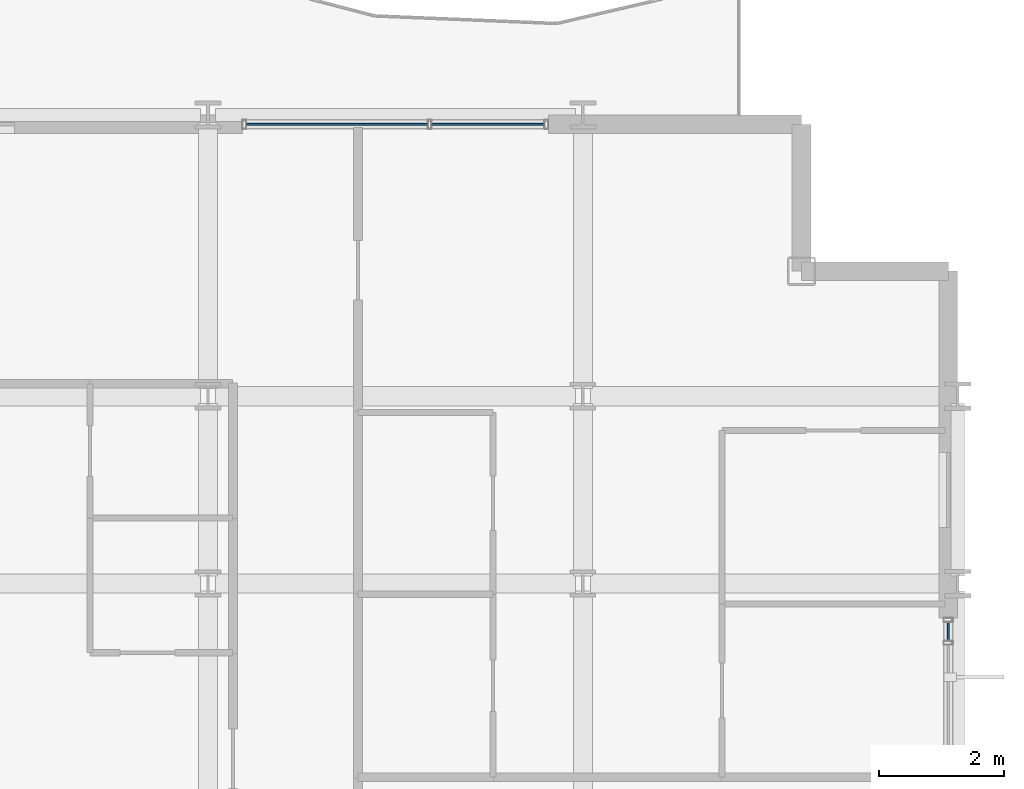
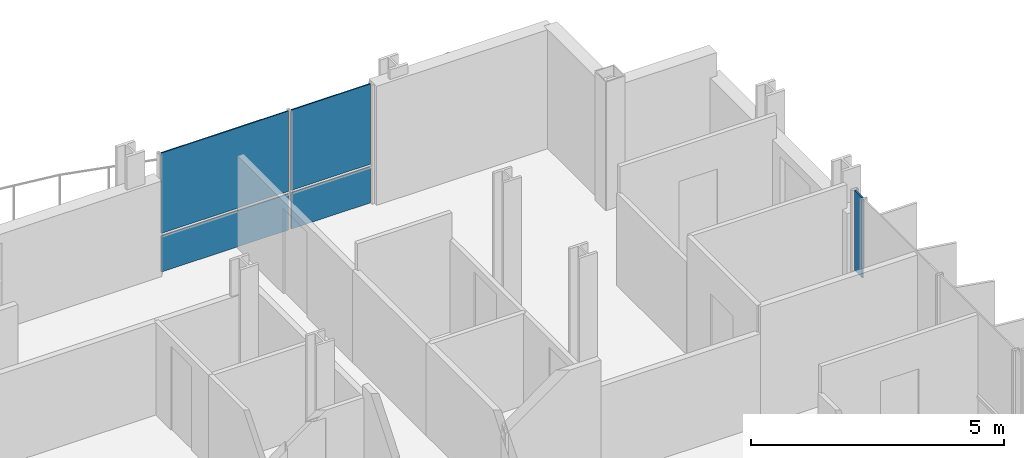
# One storey, part 24 of 39: 5 plates, 2 elements without a shape of their own.
"""IFC4 building model written with IfcOpenShell, lengths in metres."""

import ifcopenshell
import ifcopenshell.guid

model = None  # the IFC model being written
_history = None  # IfcOwnerHistory: only IFC2X3 demands one
_inside = {}  # id of a spatial element -> (the spatial element, [elements in it])
_under = {}  # id of a project, library or spatial element -> (it, [spatial elements below it])
_declared = {}  # id of a project -> (the project, [libraries it declares])
_typed = {}  # id of a type object -> (the type object, [elements of that type])
_made_of = {}  # id of a material, layer set ... -> (it, [elements and type objects made of it])


def new_model(schema):
    """Start an empty IFC model of exactly this schema.

    Asked for "IFC4X3", IfcOpenShell would pick the latest addendum, in which some entities
    have other attributes; the version numbers below select the first issue.
    IFC2X3 requires an IfcOwnerHistory on every rooted entity: one is made here for all.
    """
    global model, _history
    if schema == "IFC4X3":
        model = ifcopenshell.file(schema_version=(4, 3, 0, 0))
    else:
        model = ifcopenshell.file(schema=schema)
    _inside.clear()
    _under.clear()
    _declared.clear()
    _typed.clear()
    _made_of.clear()
    _history = None
    if model.schema == "IFC2X3":
        org = make("IfcOrganization", Name="unknown")
        user = make(
            "IfcPersonAndOrganization",
            ThePerson=make("IfcPerson", FamilyName="unknown"),
            TheOrganization=org,
        )
        app = make(
            "IfcApplication",
            ApplicationDeveloper=org,
            Version="unknown",
            ApplicationFullName="unknown",
            ApplicationIdentifier="unknown",
        )
        _history = make(
            "IfcOwnerHistory",
            OwningUser=user,
            OwningApplication=app,
            ChangeAction="ADDED",
            CreationDate=0,
        )
    return model


def make(cls, **values):
    """One entity of the class cls with the attributes given. An attribute that is None is left unset."""
    return model.create_entity(
        cls, **{name: value for name, value in values.items() if value is not None}
    )


def rooted(cls, **values):
    """An entity with a GlobalId (a new one), such as an element, a storey or a relation."""
    return make(cls, GlobalId=ifcopenshell.guid.new(), OwnerHistory=_history, **values)


def si_unit(unit_type, name, prefix=None):
    """IfcSIUnit, for example si_unit("LENGTHUNIT", "METRE", prefix="MILLI")."""
    return make("IfcSIUnit", UnitType=unit_type, Prefix=prefix, Name=name)


def assignment(units):
    """IfcUnitAssignment: the units of a project."""
    return None if units is None else make("IfcUnitAssignment", Units=units)


def point(xyz):
    """IfcCartesianPoint."""
    return None if xyz is None else make("IfcCartesianPoint", Coordinates=xyz)


def direction(xyz):
    """IfcDirection."""
    return None if xyz is None else make("IfcDirection", DirectionRatios=xyz)


def frame(location, z_axis=None, x_axis=None):
    """IfcAxis2Placement3D, a coordinate frame: its origin and axes. An axis left out is left unset."""
    return make(
        "IfcAxis2Placement3D",
        Location=point(location),
        Axis=direction(z_axis),
        RefDirection=direction(x_axis),
    )


def frame_2d(location, x_axis=None):
    """IfcAxis2Placement2D, a coordinate frame in the plane: its origin and x axis."""
    return make(
        "IfcAxis2Placement2D", Location=point(location), RefDirection=direction(x_axis)
    )


def origin():
    """The frame at (0, 0, 0) with its axes left unset."""
    return frame((0.0, 0.0, 0.0))


def origin_2d():
    """The frame at (0, 0) in the plane with its x axis left unset."""
    return frame_2d((0.0, 0.0))


def place(relative_to, where):
    """IfcLocalPlacement: puts the frame where relative to a parent placement (None: the world)."""
    return make(
        "IfcLocalPlacement", PlacementRelTo=relative_to, RelativePlacement=where
    )


def context(
    kind, dimensions, precision=None, world=None, true_north=None, identifier=None
):
    """IfcGeometricRepresentationContext, for example the 3D "Model" context."""
    return make(
        "IfcGeometricRepresentationContext",
        ContextIdentifier=identifier,
        ContextType=kind,
        CoordinateSpaceDimension=dimensions,
        Precision=precision,
        WorldCoordinateSystem=world,
        TrueNorth=true_north,
    )


def subcontext(parent, identifier, kind, view, scale=None):
    """IfcGeometricRepresentationSubContext, for example "Body" below "Model"."""
    return make(
        "IfcGeometricRepresentationSubContext",
        ContextIdentifier=identifier,
        ContextType=kind,
        ParentContext=parent,
        TargetScale=scale,
        TargetView=view,
    )


def project(units=None, contexts=None):
    """IfcProject with its units and contexts."""
    return rooted(
        "IfcProject",
        Name="project",
        RepresentationContexts=contexts,
        UnitsInContext=assignment(units),
    )


def spatial(cls, under=None, at=None, **own):
    """A site, building, storey or space (cls), placed at a placement, below another one or the project."""
    s = rooted(cls, ObjectPlacement=at, **own)
    if under is not None:
        _under.setdefault(under.id(), (under, []))[1].append(s)
    return s


def profile(cls, at=None, kind="AREA", **sizes):
    """A parametric profile (cls). Its sizes go by their IFC names, for example OverallWidth=200.0."""
    return make(cls, ProfileType=kind, Position=at, **sizes)


def rectangle(**sizes):
    """IfcRectangleProfileDef."""
    return profile("IfcRectangleProfileDef", **sizes)


def extrude(swept, where, along, depth):
    """IfcExtrudedAreaSolid: the profile swept, set in the frame where, extruded along a direction by depth."""
    return make(
        "IfcExtrudedAreaSolid",
        SweptArea=swept,
        Position=where,
        ExtrudedDirection=direction(along),
        Depth=depth,
    )


def shape(context_of_items, identifier, shape_type, items):
    """IfcShapeRepresentation: the items that make up one representation, for example the "Body"."""
    return make(
        "IfcShapeRepresentation",
        ContextOfItems=context_of_items,
        RepresentationIdentifier=identifier,
        RepresentationType=shape_type,
        Items=items,
    )


def material(Name=None, Category=None):
    """IfcMaterial."""
    return make("IfcMaterial", Name=Name, Category=Category)


def layer(
    of_material, thickness, ventilated=None, Name=None, Category=None, Priority=None
):
    """IfcMaterialLayer: one layer of a wall or slab, of a material (None: an air gap)."""
    return make(
        "IfcMaterialLayer",
        Material=of_material,
        LayerThickness=thickness,
        IsVentilated=ventilated,
        Name=Name,
        Category=Category,
        Priority=Priority,
    )


def layer_set(layers, Name=None):
    """IfcMaterialLayerSet."""
    return make("IfcMaterialLayerSet", MaterialLayers=layers, LayerSetName=Name)


def made_of(thing, what):
    """Note that an element or type object is made of a material, layer set ...; save() writes the relation."""
    if what is not None:
        _made_of.setdefault(what.id(), (what, []))[1].append(thing)
    return thing


def type_object(cls, material=None, **own):
    """A type object (cls), such as IfcWallType, which elements share."""
    return made_of(rooted(cls, **own), material)


def element(
    cls,
    number,
    at=None,
    inside=None,
    cuts=None,
    type_object=None,
    material=None,
    context=None,
    identifier="Body",
    shape_type=None,
    held_by="IfcProductDefinitionShape",
    body=None,
    shapes=None,
    **own,
):
    """One element of the class cls, such as IfcWall. Its Tag is "e" and its number.

    at: its placement. inside: the storey or other place that contains it. cuts: it is an
    opening in that element (IfcRelVoidsElement). A single representation is given by context,
    identifier, shape_type and body (its items); several are given by shapes. held_by: the class
    of the entity that holds the representations. save() writes the other relations.
    """
    e = rooted(cls, Tag="e%d" % number, ObjectPlacement=at, **own)
    if body is not None:
        shapes = [shape(context, identifier, shape_type, body)]
    if shapes is not None:
        e.Representation = make(held_by, Representations=shapes)
    if inside is not None:
        _inside.setdefault(inside.id(), (inside, []))[1].append(e)
    if cuts is not None:
        rooted(
            "IfcRelVoidsElement", RelatingBuildingElement=cuts, RelatedOpeningElement=e
        )
    if type_object is not None:
        _typed.setdefault(type_object.id(), (type_object, []))[1].append(e)
    return made_of(e, material)


def aggregate(whole, parts):
    """IfcRelAggregates: a whole, such as a stair, and the parts it consists of."""
    return rooted("IfcRelAggregates", RelatingObject=whole, RelatedObjects=parts)


def save(model, path):
    """Write the relations noted so far, then the file.

    IfcRelAggregates (storeys below a building ...), IfcRelContainedInSpatialStructure (elements
    in a storey), IfcRelDefinesByType, IfcRelAssociatesMaterial and IfcRelDeclares: one each for
    every whole, place, type object, material and project.
    """
    for whole, parts in _under.values():
        aggregate(whole, parts)
    for where, things in _inside.values():
        rooted(
            "IfcRelContainedInSpatialStructure",
            RelatedElements=things,
            RelatingStructure=where,
        )
    for kind, things in _typed.values():
        rooted("IfcRelDefinesByType", RelatedObjects=things, RelatingType=kind)
    for what, things in _made_of.values():
        rooted("IfcRelAssociatesMaterial", RelatedObjects=things, RelatingMaterial=what)
    for by, libraries in _declared.values():
        rooted("IfcRelDeclares", RelatingContext=by, RelatedDefinitions=libraries)
    model.write(path)


model = new_model("IFC4")

# Units and contexts
model_context = context("Model", 3, precision=1e-05, world=origin(), true_north=direction((0.0, 1.0)))
body_context = subcontext(model_context, "Body", "Model", "MODEL_VIEW")
ifc_project = project(units=[si_unit("LENGTHUNIT", "METRE"), si_unit("AREAUNIT", "SQUARE_METRE"), si_unit("VOLUMEUNIT", "CUBIC_METRE"), si_unit("PLANEANGLEUNIT", "RADIAN"), si_unit("MASSUNIT", "GRAM", prefix="KILO")], contexts=[model_context])

# Site, building, storey
site_placement = place(None, origin())
site = spatial("IfcSite", under=ifc_project, at=site_placement, CompositionType="ELEMENT")
building_placement = place(site_placement, origin())
building = spatial("IfcBuilding", under=site, at=building_placement, Name="Brevholm Reach", CompositionType="ELEMENT")
storey_placement = place(building_placement, frame((0.0, 0.0, 90.0)))
storey = spatial("IfcBuildingStorey", under=building, at=storey_placement, Name="L26", CompositionType="ELEMENT", Elevation=90.0)

# Curtain wall, plate
ifc_material_1 = material(Name="Dark Anodised Aluminium 6063-T6 and Solar-Control Glass", Category="aluminium")
ifc_layer_1 = layer(ifc_material_1, 0.14990234375)
ifc_layer_set_1 = layer_set([ifc_layer_1], Name="Dark Anodised Aluminium 6063-T6 and Solar-Control Glass")
curtain_wall_type = type_object("IfcCurtainWallType", Name="CW-01", PredefinedType="NOTDEFINED", material=ifc_layer_set_1)
curtain_wall_1_placement = place(storey_placement, origin())
curtain_wall_1 = element("IfcCurtainWall", 1, at=curtain_wall_1_placement, inside=storey, type_object=curtain_wall_type, Name="L26 Curtain Wall CW-01", PredefinedType="NOTDEFINED")
ifc_material_2 = material(Name="Dark Solar-Control Double-Glazed IGU Glass", Category="glass")
ifc_layer_2 = layer(ifc_material_2, 0.028076171875)
ifc_layer_set_2 = layer_set([ifc_layer_2], Name="Dark Solar-Control Double-Glazed IGU Glass")
plate_type = type_object("IfcPlateType", Name="CWP-GLZ-28", PredefinedType="CURTAIN_PANEL", material=ifc_layer_set_2)
plate_1_placement = place(storey_placement, frame((59.85009765625, 22.733642578125, 0.9326171875), z_axis=(0.0, 0.0, 1.0), x_axis=(0.0, 1.0, 0.0)))
plate_1 = element("IfcPlate", 2, at=plate_1_placement, type_object=plate_type, Name="CP-01 Glazing Panel 5.2", PredefinedType="CURTAIN_PANEL", context=body_context, shape_type="SweptSolid", body=[
    extrude(rectangle(XDim=0.302490234375, YDim=0.028076171875, at=origin_2d()), origin(), (0.0, 0.0, 1.0), 1.9375),
])
aggregate(curtain_wall_1, [plate_1])

# Curtain wall, plates
curtain_wall_2_placement = place(storey_placement, origin())
curtain_wall_2 = element("IfcCurtainWall", 3, at=curtain_wall_2_placement, inside=storey, type_object=curtain_wall_type, Name="L26 Curtain Wall CW-01", PredefinedType="NOTDEFINED")
plate_2_placement = place(storey_placement, frame((50.066162109375, 30.85009765625, 0.0), z_axis=(0.0, 0.0, 1.0), x_axis=(1.0, 0.0, 0.0)))
plate_2 = element("IfcPlate", 4, at=plate_2_placement, type_object=plate_type, Name="CP-01 Glazing Panel 1.1", PredefinedType="CURTAIN_PANEL", context=body_context, shape_type="SweptSolid", body=[
    extrude(rectangle(XDim=2.902587890625, YDim=0.028076171875, at=origin_2d()), origin(), (0.0, 0.0, 1.0), 0.867431640625),
])
plate_3_placement = place(storey_placement, frame((50.066162109375, 30.85009765625, 0.9326171875), z_axis=(0.0, 0.0, 1.0), x_axis=(1.0, 0.0, 0.0)))
plate_3 = element("IfcPlate", 5, at=plate_3_placement, type_object=plate_type, Name="CP-01 Glazing Panel 1.2", PredefinedType="CURTAIN_PANEL", context=body_context, shape_type="SweptSolid", body=[
    extrude(rectangle(XDim=2.902587890625, YDim=0.028076171875, at=origin_2d()), origin(), (0.0, 0.0, 1.0), 1.9375),
])
plate_4_placement = place(storey_placement, frame((52.483642578125, 30.85009765625, 0.0), z_axis=(0.0, 0.0, 1.0), x_axis=(1.0, 0.0, 0.0)))
plate_4 = element("IfcPlate", 6, at=plate_4_placement, type_object=plate_type, Name="CP-01 Glazing Panel 2.1", PredefinedType="CURTAIN_PANEL", context=body_context, shape_type="SweptSolid", body=[
    extrude(rectangle(XDim=1.802490234375, YDim=0.028076171875, at=origin_2d()), origin(), (0.0, 0.0, 1.0), 0.867431640625),
])
plate_5_placement = place(storey_placement, frame((52.483642578125, 30.85009765625, 0.9326171875), z_axis=(0.0, 0.0, 1.0), x_axis=(1.0, 0.0, 0.0)))
plate_5 = element("IfcPlate", 7, at=plate_5_placement, type_object=plate_type, Name="CP-01 Glazing Panel 2.2", PredefinedType="CURTAIN_PANEL", context=body_context, shape_type="SweptSolid", body=[
    extrude(rectangle(XDim=1.802490234375, YDim=0.028076171875, at=origin_2d()), origin(), (0.0, 0.0, 1.0), 1.9375),
])
aggregate(curtain_wall_2, [plate_2, plate_3, plate_4, plate_5])

save(model, "model.ifc")
